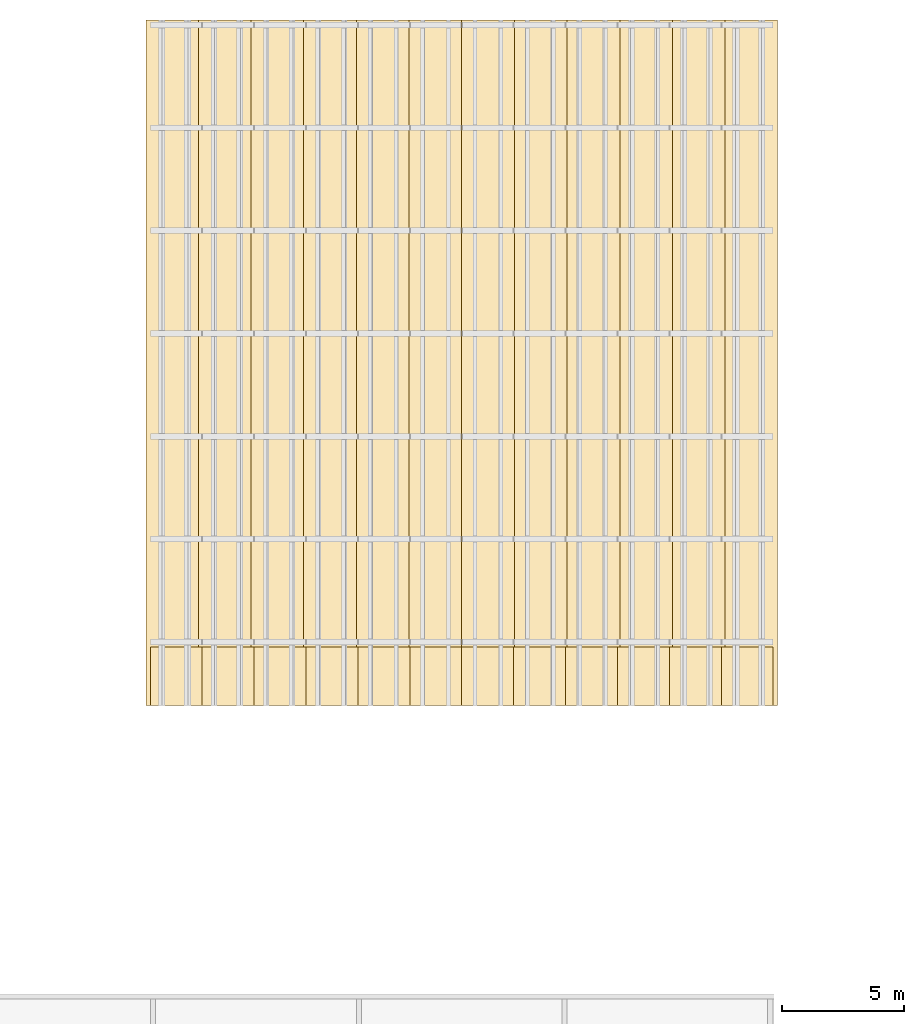
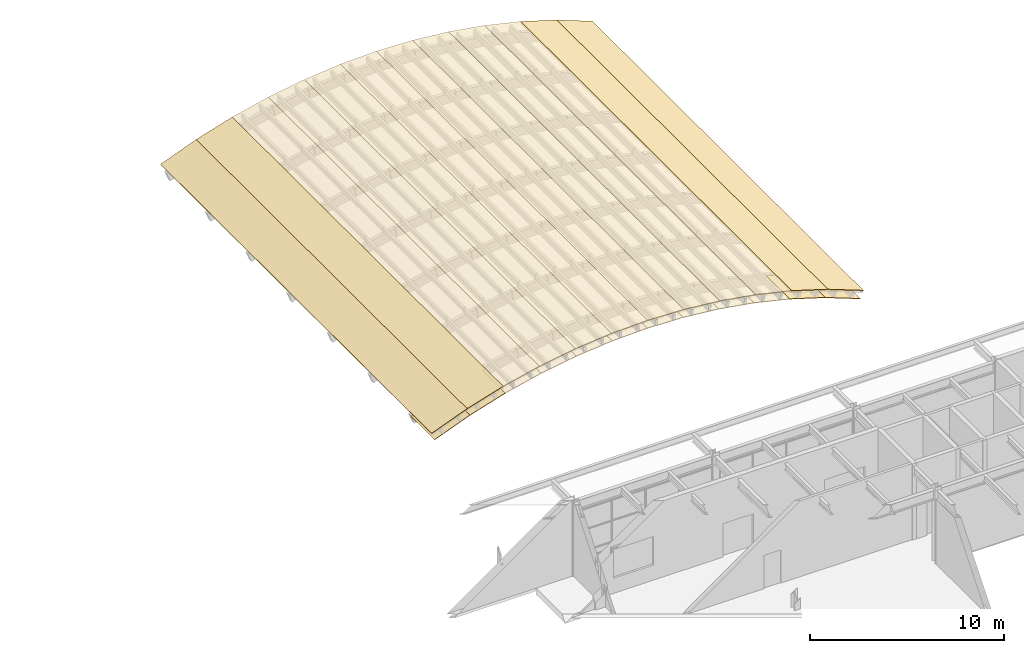
# One storey, part 116 of 116: 24 coverings.
"""IFC4 building model written with IfcOpenShell, lengths in metres."""

import ifcopenshell
import ifcopenshell.guid

model = None  # the IFC model being written
_history = None  # IfcOwnerHistory: only IFC2X3 demands one
_inside = {}  # id of a spatial element -> (the spatial element, [elements in it])
_under = {}  # id of a project, library or spatial element -> (it, [spatial elements below it])
_declared = {}  # id of a project -> (the project, [libraries it declares])
_typed = {}  # id of a type object -> (the type object, [elements of that type])
_made_of = {}  # id of a material, layer set ... -> (it, [elements and type objects made of it])


def new_model(schema):
    """Start an empty IFC model of exactly this schema.

    Asked for "IFC4X3", IfcOpenShell would pick the latest addendum, in which some entities
    have other attributes; the version numbers below select the first issue.
    IFC2X3 requires an IfcOwnerHistory on every rooted entity: one is made here for all.
    """
    global model, _history
    if schema == "IFC4X3":
        model = ifcopenshell.file(schema_version=(4, 3, 0, 0))
    else:
        model = ifcopenshell.file(schema=schema)
    _inside.clear()
    _under.clear()
    _declared.clear()
    _typed.clear()
    _made_of.clear()
    _history = None
    if model.schema == "IFC2X3":
        org = make("IfcOrganization", Name="unknown")
        user = make(
            "IfcPersonAndOrganization",
            ThePerson=make("IfcPerson", FamilyName="unknown"),
            TheOrganization=org,
        )
        app = make(
            "IfcApplication",
            ApplicationDeveloper=org,
            Version="unknown",
            ApplicationFullName="unknown",
            ApplicationIdentifier="unknown",
        )
        _history = make(
            "IfcOwnerHistory",
            OwningUser=user,
            OwningApplication=app,
            ChangeAction="ADDED",
            CreationDate=0,
        )
    return model


def make(cls, **values):
    """One entity of the class cls with the attributes given. An attribute that is None is left unset."""
    return model.create_entity(
        cls, **{name: value for name, value in values.items() if value is not None}
    )


def rooted(cls, **values):
    """An entity with a GlobalId (a new one), such as an element, a storey or a relation."""
    return make(cls, GlobalId=ifcopenshell.guid.new(), OwnerHistory=_history, **values)


def si_unit(unit_type, name, prefix=None):
    """IfcSIUnit, for example si_unit("LENGTHUNIT", "METRE", prefix="MILLI")."""
    return make("IfcSIUnit", UnitType=unit_type, Prefix=prefix, Name=name)


def assignment(units):
    """IfcUnitAssignment: the units of a project."""
    return None if units is None else make("IfcUnitAssignment", Units=units)


def point(xyz):
    """IfcCartesianPoint."""
    return None if xyz is None else make("IfcCartesianPoint", Coordinates=xyz)


def direction(xyz):
    """IfcDirection."""
    return None if xyz is None else make("IfcDirection", DirectionRatios=xyz)


def frame(location, z_axis=None, x_axis=None):
    """IfcAxis2Placement3D, a coordinate frame: its origin and axes. An axis left out is left unset."""
    return make(
        "IfcAxis2Placement3D",
        Location=point(location),
        Axis=direction(z_axis),
        RefDirection=direction(x_axis),
    )


def origin():
    """The frame at (0, 0, 0) with its axes left unset."""
    return frame((0.0, 0.0, 0.0))


def place(relative_to, where):
    """IfcLocalPlacement: puts the frame where relative to a parent placement (None: the world)."""
    return make(
        "IfcLocalPlacement", PlacementRelTo=relative_to, RelativePlacement=where
    )


def context(
    kind, dimensions, precision=None, world=None, true_north=None, identifier=None
):
    """IfcGeometricRepresentationContext, for example the 3D "Model" context."""
    return make(
        "IfcGeometricRepresentationContext",
        ContextIdentifier=identifier,
        ContextType=kind,
        CoordinateSpaceDimension=dimensions,
        Precision=precision,
        WorldCoordinateSystem=world,
        TrueNorth=true_north,
    )


def subcontext(parent, identifier, kind, view, scale=None):
    """IfcGeometricRepresentationSubContext, for example "Body" below "Model"."""
    return make(
        "IfcGeometricRepresentationSubContext",
        ContextIdentifier=identifier,
        ContextType=kind,
        ParentContext=parent,
        TargetScale=scale,
        TargetView=view,
    )


def project(units=None, contexts=None):
    """IfcProject with its units and contexts."""
    return rooted(
        "IfcProject",
        Name="project",
        RepresentationContexts=contexts,
        UnitsInContext=assignment(units),
    )


def spatial(cls, under=None, at=None, **own):
    """A site, building, storey or space (cls), placed at a placement, below another one or the project."""
    s = rooted(cls, ObjectPlacement=at, **own)
    if under is not None:
        _under.setdefault(under.id(), (under, []))[1].append(s)
    return s


def polyline(points):
    """IfcPolyline through the points."""
    return make("IfcPolyline", Points=[point(p) for p in points])


def outline(outer, holes=None, kind="AREA"):
    """IfcArbitraryClosedProfileDef: a profile drawn as a closed curve; with holes, ...WithVoids."""
    if holes is None:
        return make("IfcArbitraryClosedProfileDef", ProfileType=kind, OuterCurve=outer)
    return make(
        "IfcArbitraryProfileDefWithVoids",
        ProfileType=kind,
        OuterCurve=outer,
        InnerCurves=holes,
    )


def extrude(swept, where, along, depth):
    """IfcExtrudedAreaSolid: the profile swept, set in the frame where, extruded along a direction by depth."""
    return make(
        "IfcExtrudedAreaSolid",
        SweptArea=swept,
        Position=where,
        ExtrudedDirection=direction(along),
        Depth=depth,
    )


def shape(context_of_items, identifier, shape_type, items):
    """IfcShapeRepresentation: the items that make up one representation, for example the "Body"."""
    return make(
        "IfcShapeRepresentation",
        ContextOfItems=context_of_items,
        RepresentationIdentifier=identifier,
        RepresentationType=shape_type,
        Items=items,
    )


def material(Name=None, Category=None):
    """IfcMaterial."""
    return make("IfcMaterial", Name=Name, Category=Category)


def layer(
    of_material, thickness, ventilated=None, Name=None, Category=None, Priority=None
):
    """IfcMaterialLayer: one layer of a wall or slab, of a material (None: an air gap)."""
    return make(
        "IfcMaterialLayer",
        Material=of_material,
        LayerThickness=thickness,
        IsVentilated=ventilated,
        Name=Name,
        Category=Category,
        Priority=Priority,
    )


def layer_set(layers, Name=None):
    """IfcMaterialLayerSet."""
    return make("IfcMaterialLayerSet", MaterialLayers=layers, LayerSetName=Name)


def made_of(thing, what):
    """Note that an element or type object is made of a material, layer set ...; save() writes the relation."""
    if what is not None:
        _made_of.setdefault(what.id(), (what, []))[1].append(thing)
    return thing


def type_object(cls, material=None, **own):
    """A type object (cls), such as IfcWallType, which elements share."""
    return made_of(rooted(cls, **own), material)


def element(
    cls,
    number,
    at=None,
    inside=None,
    cuts=None,
    type_object=None,
    material=None,
    context=None,
    identifier="Body",
    shape_type=None,
    held_by="IfcProductDefinitionShape",
    body=None,
    shapes=None,
    **own,
):
    """One element of the class cls, such as IfcWall. Its Tag is "e" and its number.

    at: its placement. inside: the storey or other place that contains it. cuts: it is an
    opening in that element (IfcRelVoidsElement). A single representation is given by context,
    identifier, shape_type and body (its items); several are given by shapes. held_by: the class
    of the entity that holds the representations. save() writes the other relations.
    """
    e = rooted(cls, Tag="e%d" % number, ObjectPlacement=at, **own)
    if body is not None:
        shapes = [shape(context, identifier, shape_type, body)]
    if shapes is not None:
        e.Representation = make(held_by, Representations=shapes)
    if inside is not None:
        _inside.setdefault(inside.id(), (inside, []))[1].append(e)
    if cuts is not None:
        rooted(
            "IfcRelVoidsElement", RelatingBuildingElement=cuts, RelatedOpeningElement=e
        )
    if type_object is not None:
        _typed.setdefault(type_object.id(), (type_object, []))[1].append(e)
    return made_of(e, material)


def aggregate(whole, parts):
    """IfcRelAggregates: a whole, such as a stair, and the parts it consists of."""
    return rooted("IfcRelAggregates", RelatingObject=whole, RelatedObjects=parts)


def save(model, path):
    """Write the relations noted so far, then the file.

    IfcRelAggregates (storeys below a building ...), IfcRelContainedInSpatialStructure (elements
    in a storey), IfcRelDefinesByType, IfcRelAssociatesMaterial and IfcRelDeclares: one each for
    every whole, place, type object, material and project.
    """
    for whole, parts in _under.values():
        aggregate(whole, parts)
    for where, things in _inside.values():
        rooted(
            "IfcRelContainedInSpatialStructure",
            RelatedElements=things,
            RelatingStructure=where,
        )
    for kind, things in _typed.values():
        rooted("IfcRelDefinesByType", RelatedObjects=things, RelatingType=kind)
    for what, things in _made_of.values():
        rooted("IfcRelAssociatesMaterial", RelatedObjects=things, RelatingMaterial=what)
    for by, libraries in _declared.values():
        rooted("IfcRelDeclares", RelatingContext=by, RelatedDefinitions=libraries)
    model.write(path)


model = new_model("IFC4")

# Units and contexts
model_context = context("Model", 3, precision=1e-05, world=origin(), true_north=direction((0.0, 1.0)))
body_context = subcontext(model_context, "Body", "Model", "MODEL_VIEW")
ifc_project = project(units=[si_unit("LENGTHUNIT", "METRE"), si_unit("AREAUNIT", "SQUARE_METRE"), si_unit("VOLUMEUNIT", "CUBIC_METRE"), si_unit("PLANEANGLEUNIT", "RADIAN"), si_unit("MASSUNIT", "GRAM", prefix="KILO")], contexts=[model_context])

# Site, building, storey
site_placement = place(None, origin())
site = spatial("IfcSite", under=ifc_project, at=site_placement, CompositionType="ELEMENT")
building_placement = place(site_placement, origin())
building = spatial("IfcBuilding", under=site, at=building_placement, Name="Ljudholm Concert House", CompositionType="ELEMENT")
storey_placement = place(building_placement, frame((0.0, 0.0, 10.199951171875)))
storey = spatial("IfcBuildingStorey", under=building, at=storey_placement, Name="L02", CompositionType="ELEMENT", Elevation=10.199951171875)

# Coverings
ifc_material_1 = material(Name="Aluminium soffit panels, timber-grain PVDF finish", Category="aluminium")
ifc_layer_1 = layer(ifc_material_1, 0.030029296875)
ifc_layer_set_1 = layer_set([ifc_layer_1], Name="Aluminium soffit panels, timber-grain PVDF finish")
covering_type_1 = type_object("IfcCoveringType", Name="ALUMINIUM SOFFIT PANELS, TIMBER-GRAIN PVDF FINISH CEILING 30", PredefinedType="CEILING", material=ifc_layer_set_1)
covering_1_placement = place(storey_placement, frame((62.692138671875, 144.199951171875, -0.110107421875), z_axis=(-0.359275749583, 0.0, 0.933231448121), x_axis=(0.933231448121, 0.0, 0.359275749583)))
element("IfcCovering", 1, at=covering_1_placement, inside=storey, type_object=covering_type_1, Name="Eave soffit", PredefinedType="CEILING", context=body_context, shape_type="SweptSolid", body=[
    extrude(outline(polyline([(0.0, 0.0), (2.260814598027896, 0.0), (2.260814598027896, 2.4001464843750004), (0.0, 2.4001464843750004), (0.0, 0.0)])), origin(), (0.0, 0.0, -1.0), 0.030029296875),
])
covering_2_placement = place(storey_placement, frame((64.802001953125, 144.199951171875, 0.7021484375), z_axis=(-0.293846009009, 0.0, 0.955852772654), x_axis=(0.955852772654, 0.0, 0.293846009009)))
element("IfcCovering", 2, at=covering_2_placement, inside=storey, type_object=covering_type_1, Name="Eave soffit", PredefinedType="CEILING", context=body_context, shape_type="SweptSolid", body=[
    extrude(outline(polyline([(0.0, 0.0), (2.2175265552302634, 0.0), (2.2175265552302634, 2.400146484375), (0.0, 2.400146484375), (0.0, 0.0)])), origin(), (0.0, 0.0, -1.0), 0.030029296875),
])
covering_3_placement = place(storey_placement, frame((66.921630859375, 144.199951171875, 1.353759765625), z_axis=(-0.2286330723, 0.0, 0.973512669795), x_axis=(0.973512669795, 0.0, 0.2286330723)))
element("IfcCovering", 3, at=covering_3_placement, inside=storey, type_object=covering_type_1, Name="Eave soffit", PredefinedType="CEILING", context=body_context, shape_type="SweptSolid", body=[
    extrude(outline(polyline([(0.0, 0.0), (2.1772997640568006, 0.0), (2.1772997640568006, 2.400146484375), (0.0, 2.400146484375), (0.0, 0.0)])), origin(), (0.0, 0.0, -1.0), 0.030029296875),
])
covering_4_placement = place(storey_placement, frame((69.041259765625, 144.199951171875, 1.8515625), z_axis=(-0.163293247866, 0.0, 0.986577576879), x_axis=(0.986577576879, 0.0, 0.163293247866)))
element("IfcCovering", 4, at=covering_4_placement, inside=storey, type_object=covering_type_1, Name="Eave soffit", PredefinedType="CEILING", context=body_context, shape_type="SweptSolid", body=[
    extrude(outline(polyline([(0.0, 0.0), (2.148466533117927, 0.0), (2.148466533117927, 2.4001464843750004), (0.0, 2.4001464843750004), (0.0, 0.0)])), origin(), (0.0, 0.0, -1.0), 0.030029296875),
])
covering_5_placement = place(storey_placement, frame((71.160888671875, 144.199951171875, 2.202392578125), z_axis=(-0.097903160692, 0.0, 0.995195946096), x_axis=(0.995195946096, 0.0, 0.097903160692)))
element("IfcCovering", 5, at=covering_5_placement, inside=storey, type_object=covering_type_1, Name="Eave soffit", PredefinedType="CEILING", context=body_context, shape_type="SweptSolid", body=[
    extrude(outline(polyline([(0.0, 0.0), (2.1296155535383248, 0.0), (2.1296155535383248, 2.4001464843750004), (0.0, 2.4001464843750004), (0.0, 0.0)])), origin(), (0.0, 0.0, -1.0), 0.030029296875),
])
for number, where, z_axis, x_axis, name in (
    (6, (73.2802734375, 144.199951171875, 2.410888671875), (-0.032693869749, 0.0, 0.999465412549), (0.999465412549, 0.0, 0.032693869749), "Eave soffit"),
    (7, (75.39990234375, 144.199951171875, 2.480224609375), (0.032693869749, 0.0, 0.999465412549), (0.999465412549, 0.0, -0.032693869749), "Eave soffit"),
):
    element("IfcCovering", number, at=place(storey_placement, frame(where, z_axis=z_axis, x_axis=x_axis)), inside=storey, type_object=covering_type_1, Name=name, PredefinedType="CEILING", context=body_context, shape_type="SweptSolid", body=[
        extrude(outline(polyline([(0.0, 0.0), (2.12076263934453, 0.0), (2.12076263934453, 2.400146484375), (0.0, 2.400146484375), (0.0, 0.0)])), origin(), (0.0, 0.0, -1.0), 0.030029296875),
    ])
covering_6_placement = place(storey_placement, frame((77.51953125, 144.199951171875, 2.410888671875), z_axis=(0.097891992192, 0.0, 0.995197044743), x_axis=(0.995197044743, 0.0, -0.097891992192)))
element("IfcCovering", 8, at=covering_6_placement, inside=storey, type_object=covering_type_1, Name="Eave soffit", PredefinedType="CEILING", context=body_context, shape_type="SweptSolid", body=[
    extrude(outline(polyline([(0.0, 0.0), (2.129858521432722, 0.0), (2.129858521432722, 2.400146484375), (0.0, 2.400146484375), (0.0, 0.0)])), origin(), (0.0, 0.0, -1.0), 0.030029296875),
])
covering_7_placement = place(storey_placement, frame((79.63916015625, 144.199951171875, 2.202392578125), z_axis=(0.163293247866, 0.0, 0.986577576879), x_axis=(0.986577576879, 0.0, -0.163293247866)))
element("IfcCovering", 9, at=covering_7_placement, inside=storey, type_object=covering_type_1, Name="Eave soffit", PredefinedType="CEILING", context=body_context, shape_type="SweptSolid", body=[
    extrude(outline(polyline([(0.0, 0.0), (2.148466533117927, 0.0), (2.148466533117927, 2.4001464843750004), (0.0, 2.4001464843750004), (0.0, 0.0)])), origin(), (0.0, 0.0, -1.0), 0.030029296875),
])
covering_8_placement = place(storey_placement, frame((81.7587890625, 144.199951171875, 1.8515625), z_axis=(0.2286330723, 0.0, 0.973512669795), x_axis=(0.973512669795, 0.0, -0.2286330723)))
element("IfcCovering", 10, at=covering_8_placement, inside=storey, type_object=covering_type_1, Name="Eave soffit", PredefinedType="CEILING", context=body_context, shape_type="SweptSolid", body=[
    extrude(outline(polyline([(0.0, 0.0), (2.1772997640568006, 0.0), (2.1772997640568006, 2.400146484375), (0.0, 2.400146484375), (0.0, 0.0)])), origin(), (0.0, 0.0, -1.0), 0.030029296875),
])
covering_9_placement = place(storey_placement, frame((83.87841796875, 144.199951171875, 1.353759765625), z_axis=(0.293846009009, 0.0, 0.955852772654), x_axis=(0.955852772654, 0.0, -0.293846009009)))
element("IfcCovering", 11, at=covering_9_placement, inside=storey, type_object=covering_type_1, Name="Eave soffit", PredefinedType="CEILING", context=body_context, shape_type="SweptSolid", body=[
    extrude(outline(polyline([(0.0, 0.0), (2.2175265552302634, 0.0), (2.2175265552302634, 2.400146484375), (0.0, 2.400146484375), (0.0, 0.0)])), origin(), (0.0, 0.0, -1.0), 0.030029296875),
])
covering_10_placement = place(storey_placement, frame((85.998046875, 144.199951171875, 0.7021484375), z_axis=(0.359311959948, 0.0, 0.933217507036), x_axis=(0.933217507036, 0.0, -0.359311959948)))
element("IfcCovering", 12, at=covering_10_placement, inside=storey, type_object=covering_type_1, Name="Eave soffit", PredefinedType="CEILING", context=body_context, shape_type="SweptSolid", body=[
    extrude(outline(polyline([(0.0, 0.0), (2.260586760020589, 0.0), (2.260586760020589, 2.4001464843750004), (0.0, 2.4001464843750004), (0.0, 0.0)])), origin(), (0.0, 0.0, -1.0), 0.030029296875),
])
ifc_material_2 = material(Name="Standing-seam aluminium roofing", Category="aluminium")
ifc_layer_2 = layer(ifc_material_2, 0.030029296875)
ifc_layer_set_2 = layer_set([ifc_layer_2], Name="Standing-seam aluminium roofing")
covering_type_2 = type_object("IfcCoveringType", Name="STANDING-SEAM ALUMINIUM ROOFING ROOF COVERING 30", PredefinedType="ROOFING", material=ifc_layer_set_2)
covering_11_placement = place(storey_placement, frame((62.51611328125, 144.199951171875, 0.347412109375), z_axis=(-0.359216116087, 0.0, 0.933254403656), x_axis=(0.933254403656, 0.0, 0.359216116087)))
element("IfcCovering", 13, at=covering_11_placement, inside=storey, type_object=covering_type_2, Name="Standing-seam roofing", PredefinedType="ROOFING", context=body_context, shape_type="SweptSolid", body=[
    extrude(outline(polyline([(0.0, 0.0), (2.277501475399641, 0.0), (2.277501475399641, 28.0), (0.0, 28.0), (0.0, 0.0)])), origin(), (0.0, 0.0, -1.0), 0.030029296875),
])
covering_12_placement = place(storey_placement, frame((64.6416015625, 144.199951171875, 1.16552734375), z_axis=(-0.293887709387, 0.0, 0.955839952226), x_axis=(0.955839952226, 0.0, 0.293887709387)))
element("IfcCovering", 14, at=covering_12_placement, inside=storey, type_object=covering_type_2, Name="Standing-seam roofing", PredefinedType="ROOFING", context=body_context, shape_type="SweptSolid", body=[
    extrude(outline(polyline([(0.0, 0.0), (2.2512717361714087, 0.0), (2.2512717361714087, 28.0), (0.0, 28.0), (0.0, 0.0)])), origin(), (0.0, 0.0, -1.0), 0.030029296875),
])
covering_13_placement = place(storey_placement, frame((66.79345703125, 144.199951171875, 1.8271484375), z_axis=(-0.228552895226, 0.0, 0.973531496195), x_axis=(0.973531496195, 0.0, 0.228552895226)))
element("IfcCovering", 15, at=covering_13_placement, inside=storey, type_object=covering_type_2, Name="Standing-seam roofing", PredefinedType="ROOFING", context=body_context, shape_type="SweptSolid", body=[
    extrude(outline(polyline([(0.0, 0.0), (2.2101096230932016, 0.0), (2.2101096230932016, 28.000000000000007), (0.0, 28.000000000000007), (0.0, 0.0)])), origin(), (0.0, 0.0, -1.0), 0.030029296875),
])
covering_14_placement = place(storey_placement, frame((68.945068359375, 144.199951171875, 2.332275390625), z_axis=(-0.163327848428, 0.0, 0.986571849349), x_axis=(0.986571849349, 0.0, 0.163327848428)))
element("IfcCovering", 16, at=covering_14_placement, inside=storey, type_object=covering_type_2, Name="Standing-seam roofing", PredefinedType="ROOFING", context=body_context, shape_type="SweptSolid", body=[
    extrude(outline(polyline([(0.0, 0.0), (2.1808967380783875, 0.0), (2.1808967380783875, 27.999999999999996), (0.0, 27.999999999999996), (0.0, 0.0)])), origin(), (0.0, 0.0, -1.0), 0.030029296875),
])
covering_15_placement = place(storey_placement, frame((71.0966796875, 144.199951171875, 2.6884765625), z_axis=(-0.097904771123, 0.0, 0.995195787668), x_axis=(0.995195787668, 0.0, 0.097904771123)))
element("IfcCovering", 17, at=covering_15_placement, inside=storey, type_object=covering_type_2, Name="Standing-seam roofing", PredefinedType="ROOFING", context=body_context, shape_type="SweptSolid", body=[
    extrude(outline(polyline([(0.0, 0.0), (2.1619980257027054, 0.0), (2.1619980257027054, 28.0), (0.0, 28.0), (0.0, 0.0)])), origin(), (0.0, 0.0, -1.0), 0.030029296875),
])
covering_16_placement = place(storey_placement, frame((73.248291015625, 144.199951171875, 2.900146484375), z_axis=(-0.032661561674, 0.0, 0.999466468867), x_axis=(0.999466468867, 0.0, 0.032661561674)))
element("IfcCovering", 18, at=covering_16_placement, inside=storey, type_object=covering_type_2, Name="Standing-seam roofing", PredefinedType="ROOFING", context=body_context, shape_type="SweptSolid", body=[
    extrude(outline(polyline([(0.0, 0.0), (2.152759892550044, 0.0), (2.152759892550044, 28.0), (0.0, 28.0), (0.0, 0.0)])), origin(), (0.0, 0.0, -1.0), 0.030029296875),
])
covering_17_placement = place(storey_placement, frame((75.39990234375, 144.199951171875, 2.970458984375), z_axis=(0.032657859981, 0.0, 0.999466589828), x_axis=(0.999466589828, 0.0, -0.032657859981)))
element("IfcCovering", 19, at=covering_17_placement, inside=storey, type_object=covering_type_2, Name="Standing-seam roofing", PredefinedType="ROOFING", context=body_context, shape_type="SweptSolid", body=[
    extrude(outline(polyline([(0.0, 0.0), (2.1530039029331864, 0.0), (2.1530039029331864, 28.000000000000007), (0.0, 28.000000000000007), (0.0, 0.0)])), origin(), (0.0, 0.0, -1.0), 0.030029296875),
])
covering_18_placement = place(storey_placement, frame((77.5517578125, 144.199951171875, 2.900146484375), z_axis=(0.097904771123, 0.0, 0.995195787668), x_axis=(0.995195787668, 0.0, -0.097904771123)))
element("IfcCovering", 20, at=covering_18_placement, inside=storey, type_object=covering_type_2, Name="Standing-seam roofing", PredefinedType="ROOFING", context=body_context, shape_type="SweptSolid", body=[
    extrude(outline(polyline([(0.0, 0.0), (2.1619980257027054, 0.0), (2.1619980257027054, 28.0), (0.0, 28.0), (0.0, 0.0)])), origin(), (0.0, 0.0, -1.0), 0.030029296875),
])
covering_19_placement = place(storey_placement, frame((79.703369140625, 144.199951171875, 2.6884765625), z_axis=(0.163327848428, 0.0, 0.986571849349), x_axis=(0.986571849349, 0.0, -0.163327848428)))
element("IfcCovering", 21, at=covering_19_placement, inside=storey, type_object=covering_type_2, Name="Standing-seam roofing", PredefinedType="ROOFING", context=body_context, shape_type="SweptSolid", body=[
    extrude(outline(polyline([(0.0, 0.0), (2.1808967380783875, 0.0), (2.1808967380783875, 27.999999999999996), (0.0, 27.999999999999996), (0.0, 0.0)])), origin(), (0.0, 0.0, -1.0), 0.030029296875),
])
covering_20_placement = place(storey_placement, frame((81.85498046875, 144.199951171875, 2.332275390625), z_axis=(0.228552895226, 0.0, 0.973531496195), x_axis=(0.973531496195, 0.0, -0.228552895226)))
element("IfcCovering", 22, at=covering_20_placement, inside=storey, type_object=covering_type_2, Name="Standing-seam roofing", PredefinedType="ROOFING", context=body_context, shape_type="SweptSolid", body=[
    extrude(outline(polyline([(0.0, 0.0), (2.2101096230932016, 0.0), (2.2101096230932016, 28.000000000000007), (0.0, 28.000000000000007), (0.0, 0.0)])), origin(), (0.0, 0.0, -1.0), 0.030029296875),
])
covering_21_placement = place(storey_placement, frame((84.006591796875, 144.199951171875, 1.8271484375), z_axis=(0.293918175821, 0.0, 0.95583058432), x_axis=(0.95583058432, 0.0, -0.293918175821)))
element("IfcCovering", 23, at=covering_21_placement, inside=storey, type_object=covering_type_2, Name="Standing-seam roofing", PredefinedType="ROOFING", context=body_context, shape_type="SweptSolid", body=[
    extrude(outline(polyline([(0.0, 0.0), (2.251038377951556, 0.0), (2.251038377951556, 27.999999999999996), (0.0, 27.999999999999996), (0.0, 0.0)])), origin(), (0.0, 0.0, -1.0), 0.030029296875),
])
covering_22_placement = place(storey_placement, frame((86.158203125, 144.199951171875, 1.16552734375), z_axis=(0.359216116087, 0.0, 0.933254403656), x_axis=(0.933254403656, 0.0, -0.359216116087)))
element("IfcCovering", 24, at=covering_22_placement, inside=storey, type_object=covering_type_2, Name="Standing-seam roofing", PredefinedType="ROOFING", context=body_context, shape_type="SweptSolid", body=[
    extrude(outline(polyline([(0.0, 0.0), (2.277501475399641, 0.0), (2.277501475399641, 28.0), (0.0, 28.0), (0.0, 0.0)])), origin(), (0.0, 0.0, -1.0), 0.030029296875),
])

save(model, "model.ifc")
